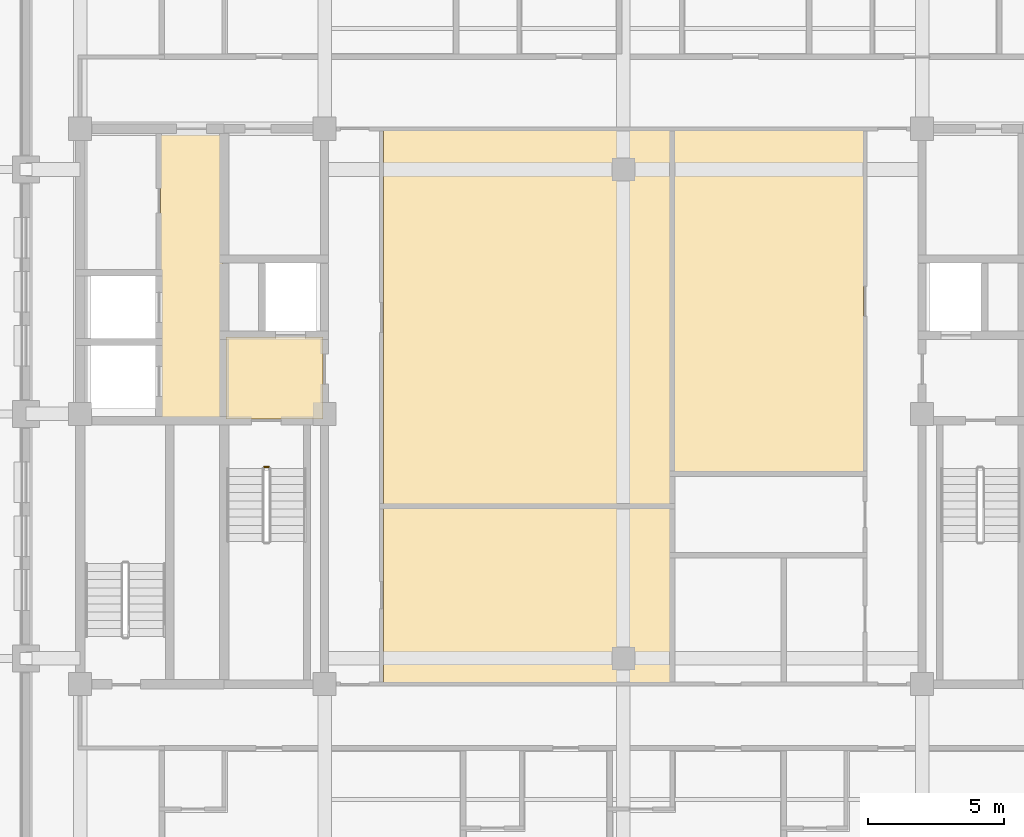
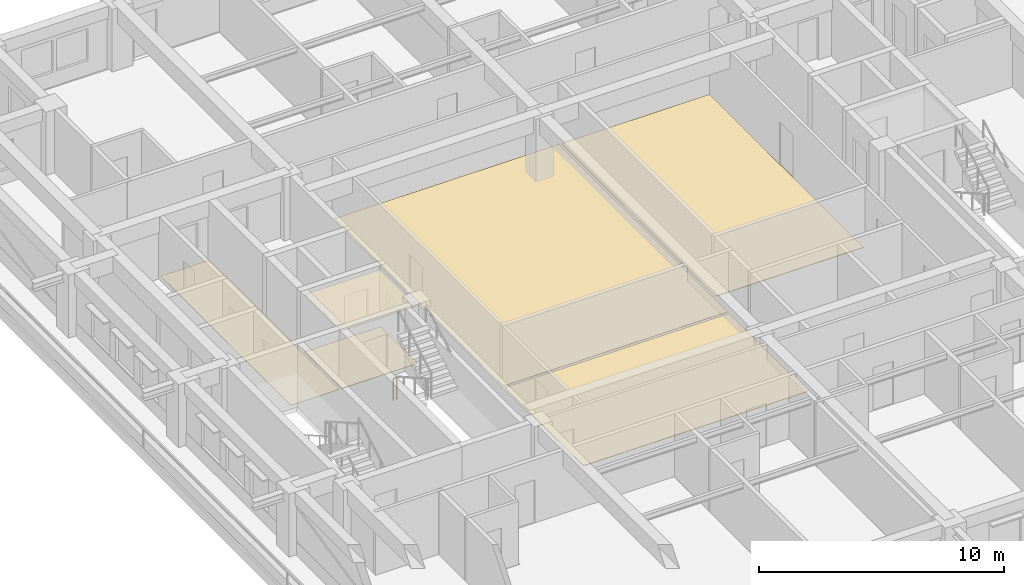
# One storey, part 11 of 13: 6 coverings, 1 railing.
"""IFC4 building model written with IfcOpenShell, lengths in metres."""

from ifc_helpers import new_model, si_unit, direction, frame, origin, origin_2d, place, context, subcontext, project, spatial, polyline, rectangle, outline, extrude, material, layer, layer_set, type_object, element, save


model = new_model("IFC4")

# Units and contexts
model_context = context("Model", 3, precision=1e-05, world=origin(), true_north=direction((0.0, 1.0)))
body_context = subcontext(model_context, "Body", "Model", "MODEL_VIEW")
ifc_project = project(units=[si_unit("LENGTHUNIT", "METRE"), si_unit("AREAUNIT", "SQUARE_METRE"), si_unit("VOLUMEUNIT", "CUBIC_METRE"), si_unit("PLANEANGLEUNIT", "RADIAN"), si_unit("MASSUNIT", "GRAM", prefix="KILO")], contexts=[model_context])

# Site, building, storey
site_placement = place(None, origin())
site = spatial("IfcSite", under=ifc_project, at=site_placement, CompositionType="ELEMENT")
building_placement = place(site_placement, origin())
building = spatial("IfcBuilding", under=site, at=building_placement, Name="Zulmaris Gate Convention Tower", CompositionType="ELEMENT")
storey_placement = place(building_placement, frame((0.0, 0.0, 166.059814453125)))
storey = spatial("IfcBuildingStorey", under=building, at=storey_placement, Name="L42", CompositionType="ELEMENT", Elevation=166.059814453125)

# Coverings
ifc_material_1 = material(Name="Mineral Fibre Acoustic Ceiling Tile")
ifc_layer_1 = layer(ifc_material_1, 0.02001953125, Name="Mineral Fibre Acoustic Ceiling Tile")
ifc_layer_set_1 = layer_set([ifc_layer_1], Name="Mineral Fibre Acoustic Ceiling Tile")
covering_type_1 = type_object("IfcCoveringType", Name="CLG-ACOUSTIC-600", PredefinedType="CEILING", material=ifc_layer_set_1)
covering_1_placement = place(storey_placement, frame((0.0, 0.0, 2.8701171875)))
element("IfcCovering", 1, at=covering_1_placement, inside=storey, type_object=covering_type_1, Name="CLG-L42-R03", PredefinedType="CEILING", context=body_context, shape_type="SweptSolid", body=[
    extrude(outline(polyline([(-14.639892578125, -0.18994140625), (-11.06005859375, -0.18994140625), (-11.06005859375, 2.840087890625), (-14.639892578125, 2.840087890625), (-14.639892578125, -0.18994140625)])), origin(), (0.0, 0.0, 1.0), 0.02001953125),
])
ifc_material_2 = material(Name="Woven Acoustic Wool Carpet Tile")
ifc_layer_2 = layer(ifc_material_2, 0.02001953125, Name="Woven Acoustic Wool Carpet Tile")
ifc_layer_set_2 = layer_set([ifc_layer_2], Name="Woven Acoustic Wool Carpet Tile")
covering_type_2 = type_object("IfcCoveringType", Name="FLR-CARPET-12", PredefinedType="FLOORING", material=ifc_layer_set_2)
covering_2_placement = place(storey_placement, origin())
element("IfcCovering", 2, at=covering_2_placement, inside=storey, type_object=covering_type_2, Name="FLR-L42-R03", PredefinedType="FLOORING", context=body_context, shape_type="SweptSolid", body=[
    extrude(outline(polyline([(-14.639892578125, -0.18994140625), (-11.06005859375, -0.18994140625), (-11.06005859375, 2.840087890625), (-14.639892578125, 2.840087890625), (-14.639892578125, -0.18994140625)])), origin(), (0.0, 0.0, 1.0), 0.02001953125),
])
covering_3_placement = place(storey_placement, origin())
element("IfcCovering", 3, at=covering_3_placement, inside=storey, type_object=covering_type_2, Name="FLR-L42-R17", PredefinedType="FLOORING", context=body_context, shape_type="SweptSolid", body=[
    extrude(outline(polyline([(-17.0400390625, -0.18994140625), (-14.760009765625, -0.18994140625), (-14.760009765625, 10.43994140625), (-17.0400390625, 10.43994140625), (-17.0400390625, -0.18994140625)])), origin(), (0.0, 0.0, 1.0), 0.02001953125),
])
covering_4_placement = place(storey_placement, origin())
element("IfcCovering", 4, at=covering_4_placement, inside=storey, type_object=covering_type_2, Name="FLR-L42-R50", PredefinedType="FLOORING", context=body_context, shape_type="SweptSolid", body=[
    extrude(outline(polyline([(-8.840087890625, -9.889892578125), (1.739990234375, -9.889892578125), (1.739990234375, -3.4599609375), (-8.840087890625, -3.4599609375), (-8.840087890625, -9.889892578125)])), origin(), (0.0, 0.0, 1.0), 0.02001953125),
])
ifc_material_3 = material(Name="Engineered Teak Parquet Flooring")
ifc_layer_3 = layer(ifc_material_3, 0.02001953125, Name="Engineered Teak Parquet Flooring")
ifc_layer_set_3 = layer_set([ifc_layer_3], Name="Engineered Teak Parquet Flooring")
covering_type_3 = type_object("IfcCoveringType", Name="FLR-TIMBER-18", PredefinedType="FLOORING", material=ifc_layer_set_3)
covering_5_placement = place(storey_placement, origin())
element("IfcCovering", 5, at=covering_5_placement, inside=storey, type_object=covering_type_3, Name="FLR-L42-R49", PredefinedType="FLOORING", context=body_context, shape_type="SweptSolid", body=[
    extrude(outline(polyline([(-8.840087890625, -3.340087890625), (1.739990234375, -3.340087890625), (1.739990234375, 10.43994140625), (-8.840087890625, 10.43994140625), (-8.840087890625, -3.340087890625)])), origin(), (0.0, 0.0, 1.0), 0.02001953125),
])
covering_6_placement = place(storey_placement, origin())
element("IfcCovering", 6, at=covering_6_placement, inside=storey, type_object=covering_type_3, Name="FLR-L42-R51", PredefinedType="FLOORING", context=body_context, shape_type="SweptSolid", body=[
    extrude(outline(polyline([(1.860107421875, -2.139892578125), (8.840087890625, -2.139892578125), (8.840087890625, 10.43994140625), (1.860107421875, 10.43994140625), (1.860107421875, -2.139892578125)])), origin(), (0.0, 0.0, 1.0), 0.02001953125),
])

# Railing
ifc_material_4 = material(Name="Painted Galvanised Steel", Category="steel")
railing_type = type_object("IfcRailingType", Name="RL-STG-1150", PredefinedType="GUARDRAIL", material=ifc_material_4)
railing_placement = place(storey_placement, frame((-13.219970703125, -1.949951171875, 0.0)))
element("IfcRailing", 7, at=railing_placement, inside=storey, type_object=railing_type, Name="L42 ST-1 stair guard 4", PredefinedType="GUARDRAIL", context=body_context, shape_type="SweptSolid", body=[
    extrude(rectangle(XDim=0.048095703125, YDim=0.048095703125, at=origin_2d()), frame((0.0, 0.0, 1.076171875), z_axis=(1.0, 0.0, 0.0), x_axis=(0.0, 1.0, 0.0)), (0.0, 0.0, 1.0), 0.159912109375),
    extrude(rectangle(XDim=0.0419921875, YDim=0.0419921875, at=origin_2d()), origin(), (0.0, 0.0, 1.0), 1.052001953125),
    extrude(rectangle(XDim=0.0419921875, YDim=0.0419921875, at=origin_2d()), frame((0.159912109375, 0.0, 0.0)), (0.0, 0.0, 1.0), 1.052001953125),
])

save(model, "model.ifc")
